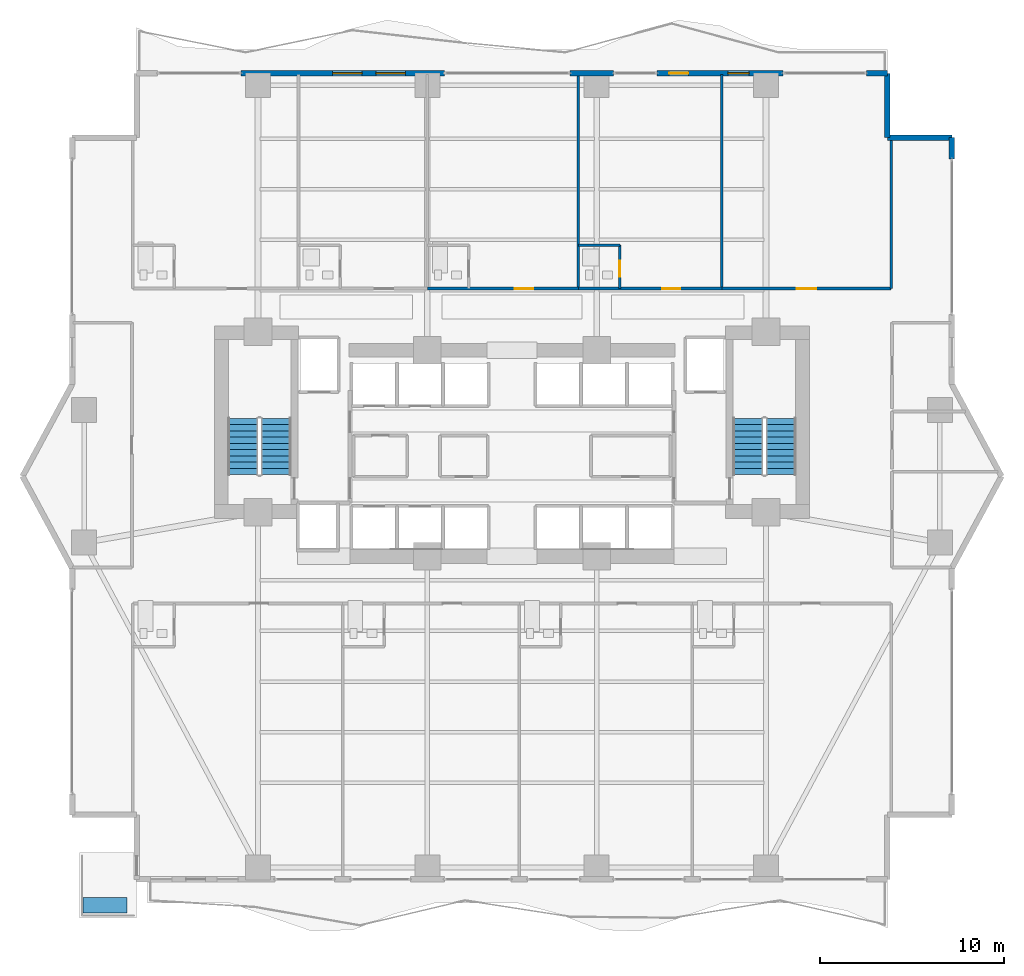
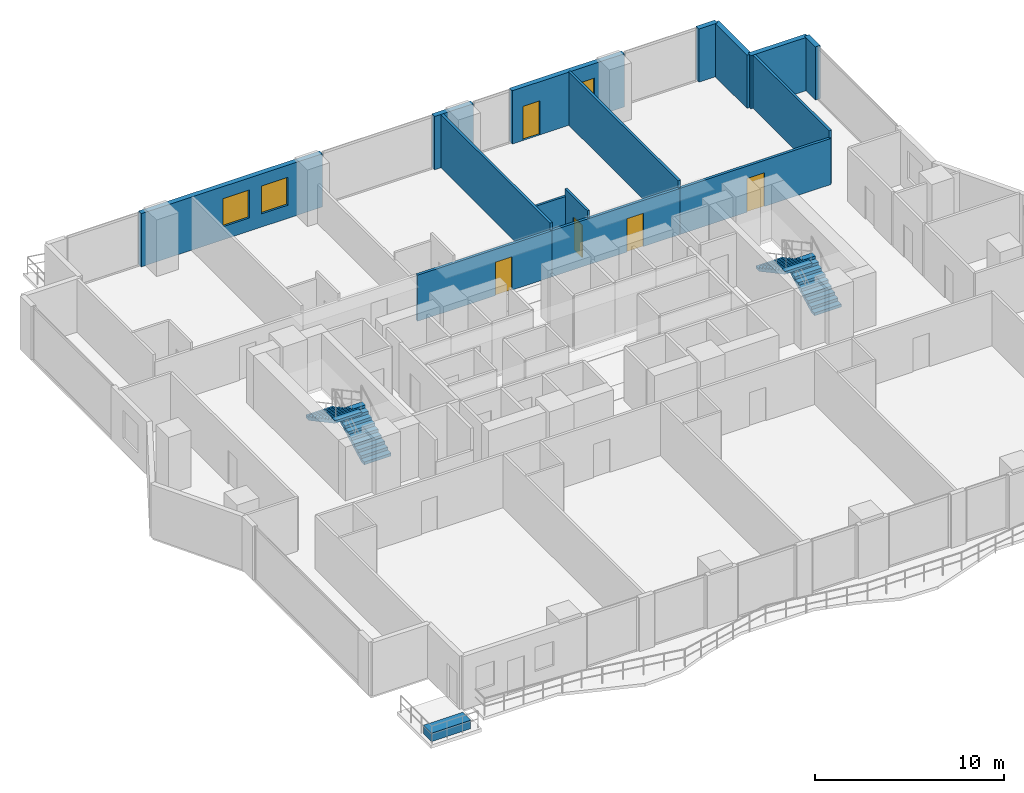
# One storey, part 23 of 27: 15 walls, 5 doors, 4 stair flights, 3 windows, 1 building element part, 8 openings, 2 elements without a shape of their own.
"""IFC4 building model written with IfcOpenShell, lengths in metres."""

from ifc_helpers import new_model, si_unit, direction, frame, frame_2d, origin, origin_2d, place, context, subcontext, project, spatial, polyline, rectangle, outline, extrude, material, layer, layer_set, type_object, element, fill, aggregate, save


model = new_model("IFC4")

# Units and contexts
model_context = context("Model", 3, precision=1e-05, world=origin(), true_north=direction((0.0, 1.0)))
body_context = subcontext(model_context, "Body", "Model", "MODEL_VIEW")
ifc_project = project(units=[si_unit("LENGTHUNIT", "METRE"), si_unit("AREAUNIT", "SQUARE_METRE"), si_unit("VOLUMEUNIT", "CUBIC_METRE"), si_unit("PLANEANGLEUNIT", "RADIAN"), si_unit("MASSUNIT", "GRAM", prefix="KILO")], contexts=[model_context])

# Site, building, storey
site_placement = place(None, origin())
site = spatial("IfcSite", under=ifc_project, at=site_placement, CompositionType="ELEMENT")
building_placement = place(site_placement, origin())
building = spatial("IfcBuilding", under=site, at=building_placement, Name="Zuhayl Quay Hotel", CompositionType="ELEMENT")
storey_placement = place(building_placement, frame((0.0, 0.0, 117.550048828125)))
storey = spatial("IfcBuildingStorey", under=building, at=storey_placement, Name="L29", CompositionType="ELEMENT", Elevation=117.550048828125)

# Wall, openings, windows
ifc_material_1 = material(Name="Precast concrete C45/55", Category="concrete")
ifc_layer_1 = layer(ifc_material_1, 0.300048828125, Name="Precast concrete C45/55", Category="concrete")
ifc_layer_set_1 = layer_set([ifc_layer_1], Name="Precast concrete C45/55")
wall_type_1 = type_object("IfcWallType", Name="WL_EXT_300", PredefinedType="STANDARD", material=ifc_layer_set_1)
wall_1_placement = place(storey_placement, frame((-14.719970703125, 28.39990234375, 0.0), z_axis=(0.0, 0.0, 1.0), x_axis=(1.0, 0.0, 0.0)))
wall_1 = element("IfcWall", 1, at=wall_1_placement, inside=storey, type_object=wall_type_1, Name="L29 Exterior Precast Wall ENV_L29_N_EW2", PredefinedType="STANDARD", context=body_context, shape_type="SweptSolid", body=[
    extrude(rectangle(XDim=11.0400390625, YDim=0.300048828125, at=frame_2d((5.52001953125, 0.0))), origin(), (0.0, 0.0, 1.0), 3.429931640625),
])
opening_1_placement = place(wall_1_placement, frame((4.97998046875, 0.0, 0.85009765625)))
opening_1 = element("IfcOpeningElement", 2, at=opening_1_placement, cuts=wall_1, Name="Opening W01", PredefinedType="OPENING", context=body_context, shape_type="SweptSolid", body=[
    extrude(rectangle(XDim=1.60009765625, YDim=1.800048828125, at=frame_2d((0.800048828125, 0.89990234375))), frame((0.0, 0.159912109375, 0.0), z_axis=(0.0, -1.0, 0.0), x_axis=(1.0, 0.0, 0.0)), (0.0, 0.0, 1.0), 0.320068359375),
])
opening_2_placement = place(wall_1_placement, frame((7.324951171875, 0.0, 0.85009765625)))
opening_2 = element("IfcOpeningElement", 3, at=opening_2_placement, cuts=wall_1, Name="Opening W01", PredefinedType="OPENING", context=body_context, shape_type="SweptSolid", body=[
    extrude(rectangle(XDim=1.60009765625, YDim=1.800048828125, at=frame_2d((0.800048828125, 0.89990234375))), frame((0.0, 0.159912109375, 0.0), z_axis=(0.0, -1.0, 0.0), x_axis=(1.0, 0.0, 0.0)), (0.0, 0.0, 1.0), 0.320068359375),
])
ifc_material_2 = material(Name="Dark Ceramic-Fritted Solar Glass", Category="glass")
window_type_1 = type_object("IfcWindowType", Name="WN_OPERABLE_1600", PartitioningType="DOUBLE_PANEL_VERTICAL", PredefinedType="WINDOW", material=ifc_material_2)
window_1_placement = place(opening_1_placement, origin())
window_1 = element("IfcWindow", 4, at=window_1_placement, inside=storey, type_object=window_type_1, Name="L29 North Operable Casement Window", OverallHeight=1.800048828125, OverallWidth=1.60009765625, PartitioningType="SINGLE_PANEL", PredefinedType="WINDOW", context=body_context, shape_type="SweptSolid", body=[
    extrude(rectangle(XDim=1.60009765625, YDim=1.800048828125, at=frame_2d((0.800048828125, 0.89990234375))), frame((0.0, 0.030029296875, 0.0), z_axis=(0.0, -1.0, 0.0), x_axis=(1.0, 0.0, 0.0)), (0.0, 0.0, 1.0), 0.06005859375),
])
fill(opening_1, window_1)
window_2_placement = place(opening_2_placement, origin())
window_2 = element("IfcWindow", 5, at=window_2_placement, inside=storey, type_object=window_type_1, Name="L29 Operable Facade Window 2-1", OverallHeight=1.800048828125, OverallWidth=1.60009765625, PartitioningType="SINGLE_PANEL", PredefinedType="WINDOW", context=body_context, shape_type="SweptSolid", body=[
    extrude(rectangle(XDim=1.60009765625, YDim=1.800048828125, at=frame_2d((0.800048828125, 0.89990234375))), frame((0.0, 0.030029296875, 0.0), z_axis=(0.0, -1.0, 0.0), x_axis=(1.0, 0.0, 0.0)), (0.0, 0.0, 1.0), 0.06005859375),
])
fill(opening_2, window_2)

# Wall
wall_2_placement = place(storey_placement, frame((3.14990234375, 28.39990234375, 0.0), z_axis=(0.0, 0.0, 1.0), x_axis=(1.0, 0.0, 0.0)))
element("IfcWall", 6, at=wall_2_placement, inside=storey, type_object=wall_type_1, Name="L29 Exterior Precast Wall ENV_L29_N_EW3", PredefinedType="STANDARD", context=body_context, shape_type="SweptSolid", body=[
    extrude(rectangle(XDim=2.3701171875, YDim=0.300048828125, at=frame_2d((1.18505859375, 0.0))), origin(), (0.0, 0.0, 1.0), 3.429931640625),
])

# Wall, openings, door, window
wall_3_placement = place(storey_placement, frame((7.885009765625, 28.39990234375, 0.0), z_axis=(0.0, 0.0, 1.0), x_axis=(1.0, 0.0, 0.0)))
wall_3 = element("IfcWall", 7, at=wall_3_placement, inside=storey, type_object=wall_type_1, Name="L29 Exterior Precast Wall ENV_L29_N_EW4", PredefinedType="STANDARD", context=body_context, shape_type="SweptSolid", body=[
    extrude(rectangle(XDim=6.8349609375, YDim=0.300048828125, at=frame_2d((3.41748046875, 0.0))), origin(), (0.0, 0.0, 1.0), 3.429931640625),
])
opening_3_placement = place(wall_3_placement, frame((0.64990234375, 0.0, 0.0)))
opening_3 = element("IfcOpeningElement", 8, at=opening_3_placement, cuts=wall_3, Name="Opening DG1", PredefinedType="OPENING", context=body_context, shape_type="SweptSolid", body=[
    extrude(rectangle(XDim=1.050048828125, YDim=2.199951171875, at=frame_2d((0.52490234375, 1.10009765625))), frame((0.0, 0.159912109375, 0.0), z_axis=(0.0, -1.0, 0.0), x_axis=(1.0, 0.0, 0.0)), (0.0, 0.0, 1.0), 0.320068359375),
])
opening_4_placement = place(wall_3_placement, frame((3.85009765625, 0.0, 0.949951171875)))
opening_4 = element("IfcOpeningElement", 9, at=opening_4_placement, cuts=wall_3, Name="Opening W01N", PredefinedType="OPENING", context=body_context, shape_type="SweptSolid", body=[
    extrude(rectangle(XDim=1.14990234375, YDim=1.550048828125, at=frame_2d((0.574951171875, 0.77490234375))), frame((0.0, 0.159912109375, 0.0), z_axis=(0.0, -1.0, 0.0), x_axis=(1.0, 0.0, 0.0)), (0.0, 0.0, 1.0), 0.320068359375),
])
ifc_material_3 = material(Name="Anodised Aluminium and Dark Solar Glass", Category="aluminium")
door_type_1 = type_object("IfcDoorType", Name="DR_EXT_TERR_1050", OperationType="NOTDEFINED", PredefinedType="DOOR", material=ifc_material_3)
door_1_placement = place(opening_3_placement, origin())
door_1 = element("IfcDoor", 10, at=door_1_placement, inside=storey, type_object=door_type_1, Name="L29 North Rippling Balcony Door", OperationType="SINGLE_SWING_LEFT", OverallHeight=2.199951171875, OverallWidth=1.050048828125, PredefinedType="DOOR", context=body_context, shape_type="SweptSolid", body=[
    extrude(rectangle(XDim=1.050048828125, YDim=2.199951171875, at=frame_2d((0.52490234375, 1.10009765625))), frame((0.0, 0.02490234375, 0.0), z_axis=(0.0, -1.0, 0.0), x_axis=(1.0, 0.0, 0.0)), (0.0, 0.0, 1.0), 0.050048828125),
])
fill(opening_3, door_1)
window_type_2 = type_object("IfcWindowType", Name="WN_NOTCH_1350", PartitioningType="SINGLE_PANEL", PredefinedType="WINDOW", material=ifc_material_2)
window_3_placement = place(opening_4_placement, origin())
window_3 = element("IfcWindow", 11, at=window_3_placement, inside=storey, type_object=window_type_2, Name="L29 Operable Facade Window 4-1", OverallHeight=1.550048828125, OverallWidth=1.14990234375, PartitioningType="SINGLE_PANEL", PredefinedType="WINDOW", context=body_context, shape_type="SweptSolid", body=[
    extrude(rectangle(XDim=1.14990234375, YDim=1.550048828125, at=frame_2d((0.574951171875, 0.77490234375))), frame((0.0, 0.030029296875, 0.0), z_axis=(0.0, -1.0, 0.0), x_axis=(1.0, 0.0, 0.0)), (0.0, 0.0, 1.0), 0.06005859375),
])
fill(opening_4, window_3)

# Walls
wall_4_placement = place(storey_placement, frame((19.25, 28.39990234375, 0.0), z_axis=(0.0, 0.0, 1.0), x_axis=(1.0, 0.0, 0.0)))
element("IfcWall", 12, at=wall_4_placement, inside=storey, type_object=wall_type_1, Name="L29 Exterior Precast Wall ENV_L29_N_EW5", PredefinedType="STANDARD", context=body_context, shape_type="SweptSolid", body=[
    extrude(rectangle(XDim=1.14990234375, YDim=0.300048828125, at=frame_2d((0.574951171875, 0.0))), origin(), (0.0, 0.0, 1.0), 3.429931640625),
])
for number, where, z_axis, x_axis, name in (
    (13, (20.39990234375, 28.39990234375, 0.0), (0.0, 0.0, 1.0), (0.0, -1.0, 0.0), "L29 Exterior Precast Wall ENV_L29_EW09"),
    (14, (20.39990234375, 24.89990234375, 0.0), (0.0, 0.0, 1.0), (1.0, 0.0, 0.0), "L29 Exterior Precast Wall ENV_L29_EW10"),
):
    element("IfcWall", number, at=place(storey_placement, frame(where, z_axis=z_axis, x_axis=x_axis)), inside=storey, type_object=wall_type_1, Name=name, PredefinedType="STANDARD", context=body_context, shape_type="SweptSolid", body=[
        extrude(rectangle(XDim=3.5, YDim=0.300048828125, at=frame_2d((1.75, 0.0))), origin(), (0.0, 0.0, 1.0), 3.429931640625),
    ])
wall_5_placement = place(storey_placement, frame((23.89990234375, 24.89990234375, 0.0), z_axis=(0.0, 0.0, 1.0), x_axis=(0.0, -1.0, 0.0)))
element("IfcWall", 15, at=wall_5_placement, inside=storey, type_object=wall_type_1, Name="L29 Exterior Precast Wall ENV_L29_E11_EW1", PredefinedType="STANDARD", context=body_context, shape_type="SweptSolid", body=[
    extrude(rectangle(XDim=1.14990234375, YDim=0.300048828125, at=frame_2d((0.574951171875, 0.0))), origin(), (0.0, 0.0, 1.0), 3.429931640625),
])
ifc_material_4 = material(Name="Acoustic Gypsum Partition STC-58")
ifc_layer_2 = layer(ifc_material_4, 0.14990234375, Name="Acoustic Gypsum Partition STC-58")
ifc_layer_set_2 = layer_set([ifc_layer_2], Name="Acoustic Gypsum Partition STC-58")
wall_type_2 = type_object("IfcWallType", Name="WL_PART_150", PredefinedType="PARTITIONING", material=ifc_layer_set_2)
for number, where, z_axis, x_axis, name in (
    (16, (3.60009765625, 16.699951171875, 0.0), (0.0, 0.0, 1.0), (0.0, 1.0, 0.0), "L29 Partition IW_L29_NU03_E"),
    (17, (11.39990234375, 16.699951171875, 0.0), (0.0, 0.0, 1.0), (0.0, 1.0, 0.0), "L29 Partition IW_L29_NU04_E"),
):
    element("IfcWall", number, at=place(storey_placement, frame(where, z_axis=z_axis, x_axis=x_axis)), inside=storey, type_object=wall_type_2, Name=name, PredefinedType="PARTITIONING", context=body_context, shape_type="SweptSolid", body=[
        extrude(rectangle(XDim=11.6201171875, YDim=0.14990234375, at=frame_2d((5.81005859375, 0.0))), origin(), (0.0, 0.0, 1.0), 3.429931640625),
    ])
wall_6_placement = place(storey_placement, frame((20.60009765625, 16.699951171875, 0.0), z_axis=(0.0, 0.0, 1.0), x_axis=(0.0, 1.0, 0.0)))
element("IfcWall", 18, at=wall_6_placement, inside=storey, type_object=wall_type_2, Name="L29 Partition IW_L29_NSAL_4_E", PredefinedType="PARTITIONING", context=body_context, shape_type="SweptSolid", body=[
    extrude(rectangle(XDim=8.14013671875, YDim=0.14990234375, at=frame_2d((4.070068359375, 0.0))), origin(), (0.0, 0.0, 1.0), 3.429931640625),
])

# Wall, opening, door
ifc_layer_3 = layer(ifc_material_4, 0.159912109375, Name="Acoustic Gypsum Partition STC-58")
ifc_layer_set_3 = layer_set([ifc_layer_3], Name="Acoustic Gypsum Partition STC-58")
wall_type_3 = type_object("IfcWallType", Name="WL_PART_CORR_160", PredefinedType="PARTITIONING", material=ifc_layer_set_3)
wall_7_placement = place(storey_placement, frame((-4.60009765625, 16.699951171875, 0.0), z_axis=(0.0, 0.0, 1.0), x_axis=(1.0, 0.0, 0.0)))
wall_7 = element("IfcWall", 19, at=wall_7_placement, inside=storey, type_object=wall_type_3, Name="L29 Partition IW_L29_NU03_COR", PredefinedType="PARTITIONING", context=body_context, shape_type="SweptSolid", body=[
    extrude(rectangle(XDim=8.2001953125, YDim=0.159912109375, at=frame_2d((4.10009765625, 0.0))), origin(), (0.0, 0.0, 1.0), 2.972900390625),
])
opening_5_placement = place(wall_7_placement, frame((4.75, 0.0, 0.0)))
opening_5 = element("IfcOpeningElement", 20, at=opening_5_placement, cuts=wall_7, Name="Opening D03L", PredefinedType="OPENING", context=body_context, shape_type="SweptSolid", body=[
    extrude(rectangle(XDim=1.0, YDim=2.14990234375, at=frame_2d((0.5, 1.074951171875))), frame((0.0, 0.08984375, 0.0), z_axis=(0.0, -1.0, 0.0), x_axis=(1.0, 0.0, 0.0)), (0.0, 0.0, 1.0), 0.179931640625),
])
ifc_material_5 = material(Name="Solid Walnut Acoustic Fire Door")
door_type_2 = type_object("IfcDoorType", Name="DR_SUITE_1000", OperationType="NOTDEFINED", PredefinedType="DOOR", material=ifc_material_5)
door_2_placement = place(opening_5_placement, origin())
door_2 = element("IfcDoor", 21, at=door_2_placement, inside=storey, type_object=door_type_2, Name="L29 Executive Suite L29-03 Entrance Door", OperationType="SINGLE_SWING_LEFT", OverallHeight=2.14990234375, OverallWidth=1.0, PredefinedType="DOOR", context=body_context, shape_type="SweptSolid", body=[
    extrude(rectangle(XDim=1.0, YDim=2.14990234375, at=frame_2d((0.5, 1.074951171875))), frame((0.0, 0.02490234375, 0.0), z_axis=(0.0, -1.0, 0.0), x_axis=(1.0, 0.0, 0.0)), (0.0, 0.0, 1.0), 0.050048828125),
])
fill(opening_5, door_2)

wall_8_placement = place(storey_placement, frame((3.60009765625, 16.699951171875, 0.0), z_axis=(0.0, 0.0, 1.0), x_axis=(1.0, 0.0, 0.0)))
wall_8 = element("IfcWall", 22, at=wall_8_placement, inside=storey, type_object=wall_type_3, Name="L29 Partition IW_L29_NU04_COR", PredefinedType="PARTITIONING", context=body_context, shape_type="SweptSolid", body=[
    extrude(rectangle(XDim=7.7998046875, YDim=0.159912109375, at=frame_2d((3.89990234375, 0.0))), origin(), (0.0, 0.0, 1.0), 2.972900390625),
])
opening_6_placement = place(wall_8_placement, frame((4.550048828125, 0.0, 0.0)))
opening_6 = element("IfcOpeningElement", 23, at=opening_6_placement, cuts=wall_8, Name="Opening D03L", PredefinedType="OPENING", context=body_context, shape_type="SweptSolid", body=[
    extrude(rectangle(XDim=1.0, YDim=2.14990234375, at=frame_2d((0.5, 1.074951171875))), frame((0.0, 0.08984375, 0.0), z_axis=(0.0, -1.0, 0.0), x_axis=(1.0, 0.0, 0.0)), (0.0, 0.0, 1.0), 0.179931640625),
])
door_3_placement = place(opening_6_placement, origin())
door_3 = element("IfcDoor", 24, at=door_3_placement, inside=storey, type_object=door_type_2, Name="L29 Executive Suite L29-04 Entrance Door", OperationType="SINGLE_SWING_LEFT", OverallHeight=2.14990234375, OverallWidth=1.0, PredefinedType="DOOR", context=body_context, shape_type="SweptSolid", body=[
    extrude(rectangle(XDim=1.0, YDim=2.14990234375, at=frame_2d((0.5, 1.074951171875))), frame((0.0, 0.02490234375, 0.0), z_axis=(0.0, -1.0, 0.0), x_axis=(1.0, 0.0, 0.0)), (0.0, 0.0, 1.0), 0.050048828125),
])
fill(opening_6, door_3)

wall_9_placement = place(storey_placement, frame((11.39990234375, 16.699951171875, 0.0), z_axis=(0.0, 0.0, 1.0), x_axis=(1.0, 0.0, 0.0)))
wall_9 = element("IfcWall", 25, at=wall_9_placement, inside=storey, type_object=wall_type_3, Name="L29 Partition IW_L29_NSAL_4_S", PredefinedType="PARTITIONING", context=body_context, shape_type="SweptSolid", body=[
    extrude(rectangle(XDim=9.2001953125, YDim=0.159912109375, at=frame_2d((4.60009765625, 0.0))), origin(), (0.0, 0.0, 1.0), 2.972900390625),
])
opening_7_placement = place(wall_9_placement, frame((4.06005859375, 0.0, 0.0)))
opening_7 = element("IfcOpeningElement", 26, at=opening_7_placement, cuts=wall_9, Name="Opening D05A", PredefinedType="OPENING", context=body_context, shape_type="SweptSolid", body=[
    extrude(rectangle(XDim=1.080078125, YDim=2.179931640625, at=frame_2d((0.5400390625, 1.08984375))), frame((0.0, 0.08984375, 0.0), z_axis=(0.0, -1.0, 0.0), x_axis=(1.0, 0.0, 0.0)), (0.0, 0.0, 1.0), 0.179931640625),
])
door_type_3 = type_object("IfcDoorType", Name="DR_INT_1100", OperationType="NOTDEFINED", PredefinedType="DOOR", material=ifc_material_5)
door_4_placement = place(opening_7_placement, origin())
door_4 = element("IfcDoor", 27, at=door_4_placement, inside=storey, type_object=door_type_3, Name="L29 Executive Business Office Door", OperationType="SINGLE_SWING_RIGHT", OverallHeight=2.179931640625, OverallWidth=1.080078125, PredefinedType="DOOR", context=body_context, shape_type="SweptSolid", body=[
    extrude(rectangle(XDim=1.080078125, YDim=2.179931640625, at=frame_2d((0.5400390625, 1.08984375))), frame((0.0, 0.02490234375, 0.0), z_axis=(0.0, -1.0, 0.0), x_axis=(1.0, 0.0, 0.0)), (0.0, 0.0, 1.0), 0.050048828125),
])
fill(opening_7, door_4)

ifc_material_6 = material(Name="Moisture-Resistant Sanitarychase Gypsum")
ifc_layer_4 = layer(ifc_material_6, 0.135009765625, Name="Moisture-Resistant Sanitarychase Gypsum")
ifc_layer_set_4 = layer_set([ifc_layer_4], Name="Moisture-Resistant Sanitarychase Gypsum")
wall_type_4 = type_object("IfcWallType", Name="WL_PART_PLUMB_150", PredefinedType="PLUMBINGWALL", material=ifc_layer_set_4)
wall_10_placement = place(storey_placement, frame((5.860107421875, 16.699951171875, 0.0), z_axis=(0.0, 0.0, 1.0), x_axis=(0.0, 1.0, 0.0)))
wall_10 = element("IfcWall", 28, at=wall_10_placement, inside=storey, type_object=wall_type_4, Name="L29 Partition IW_L29_NU04_BE", PredefinedType="PLUMBINGWALL", context=body_context, shape_type="SweptSolid", body=[
    extrude(rectangle(XDim=2.360107421875, YDim=0.135009765625, at=frame_2d((1.18017578125, 0.0))), origin(), (0.0, 0.0, 1.0), 3.429931640625),
])
opening_8_placement = place(wall_10_placement, frame((0.64990234375, 0.0, 0.0)))
opening_8 = element("IfcOpeningElement", 29, at=opening_8_placement, cuts=wall_10, Name="Opening D04", PredefinedType="OPENING", context=body_context, shape_type="SweptSolid", body=[
    extrude(rectangle(XDim=0.85009765625, YDim=2.10009765625, at=frame_2d((0.425048828125, 1.050048828125))), frame((0.0, 0.077392578125, 0.0), z_axis=(0.0, -1.0, 0.0), x_axis=(1.0, 0.0, 0.0)), (0.0, 0.0, 1.0), 0.155029296875),
])
ifc_material_7 = material(Name="Moisture-Resistant Walnut Veneer")
door_type_4 = type_object("IfcDoorType", Name="DR_BATH_850", OperationType="NOTDEFINED", PredefinedType="DOOR", material=ifc_material_7)
door_5_placement = place(opening_8_placement, origin())
door_5 = element("IfcDoor", 30, at=door_5_placement, inside=storey, type_object=door_type_4, Name="L29 Executive Suite L29-04 En-Suite Door", OperationType="SINGLE_SWING_RIGHT", OverallHeight=2.10009765625, OverallWidth=0.85009765625, PredefinedType="DOOR", context=body_context, shape_type="SweptSolid", body=[
    extrude(rectangle(XDim=0.85009765625, YDim=2.10009765625, at=frame_2d((0.425048828125, 1.050048828125))), frame((0.0, 0.02490234375, 0.0), z_axis=(0.0, -1.0, 0.0), x_axis=(1.0, 0.0, 0.0)), (0.0, 0.0, 1.0), 0.050048828125),
])
fill(opening_8, door_5)

# Wall
wall_11_placement = place(storey_placement, frame((3.60009765625, 19.06005859375, 0.0), z_axis=(0.0, 0.0, 1.0), x_axis=(1.0, 0.0, 0.0)))
element("IfcWall", 31, at=wall_11_placement, inside=storey, type_object=wall_type_4, Name="L29 Partition IW_L29_NU04_BN", PredefinedType="PLUMBINGWALL", context=body_context, shape_type="SweptSolid", body=[
    extrude(rectangle(XDim=2.260009765625, YDim=0.135009765625, at=frame_2d((1.1298828125, 0.0))), origin(), (0.0, 0.0, 1.0), 2.972900390625),
])

# Stair, stair flights
ifc_material_8 = material(Name="Concrete C45/55", Category="concrete")
stair_type = type_object("IfcStairType", Name="ST_DOGLEG_TOWER", PredefinedType="HALF_TURN_STAIR", material=ifc_material_8)
stair_1_placement = place(storey_placement, origin())
stair_1 = element("IfcStair", 32, at=stair_1_placement, inside=storey, type_object=stair_type, Name="L29 Smokeproof Exit Stair ST1", PredefinedType="HALF_TURN_STAIR")
ifc_layer_5 = layer(ifc_material_8, 0.159912109375, Name="Concrete C45/55", Category="concrete")
ifc_layer_set_5 = layer_set([ifc_layer_5], Name="Concrete C45/55")
stair_flight_type = type_object("IfcStairFlightType", Name="SF_CONC_164", PredefinedType="STRAIGHT", material=ifc_layer_set_5)
stair_flight_1_placement = place(storey_placement, frame((-12.820068359375, 6.590087890625, 0.0), z_axis=(0.0, 0.0, 1.0), x_axis=(0.0, 1.0, 0.0)))
stair_flight_1 = element("IfcStairFlight", 33, at=stair_flight_1_placement, type_object=stair_flight_type, Name="ST1 flight 1", NumberOfRisers=10, NumberOfTreads=9, PredefinedType="STRAIGHT", RiserHeight=0.1825, TreadLength=0.34, context=body_context, shape_type="SweptSolid", body=[
    extrude(outline(polyline([(0.0, 0.0), (0.0, 0.1826171875), (0.340087890625, 0.1826171875), (0.340087890625, 0.364990234375), (0.679931640625, 0.364990234375), (0.679931640625, 0.547607421875), (1.02001953125, 0.547607421875), (1.02001953125, 0.72998046875), (1.360107421875, 0.72998046875), (1.360107421875, 0.91259765625), (1.699951171875, 0.91259765625), (1.699951171875, 1.094970703125), (2.0400390625, 1.094970703125), (2.0400390625, 1.277587890625), (2.3798828125, 1.277587890625), (2.3798828125, 1.4599609375), (2.719970703125, 1.4599609375), (2.719970703125, 1.642578125), (3.06005859375, 1.642578125), (3.06005859375, 1.824951171875), (3.06005859375, 1.472412109375), (0.31689453125, 0.0), (0.0, 0.0)])), frame((0.0, 0.81982421875, 0.0), z_axis=(0.0, -1.0, 0.0), x_axis=(1.0, 0.0, 0.0)), (0.0, 0.0, 1.0), 1.639892578125),
])
stair_flight_2_placement = place(storey_placement, frame((-14.610107421875, 9.64990234375, 1.824951171875), z_axis=(0.0, 0.0, 1.0), x_axis=(0.0, -1.0, 0.0)))
stair_flight_2 = element("IfcStairFlight", 34, at=stair_flight_2_placement, type_object=stair_flight_type, Name="ST1 flight 2", NumberOfRisers=10, NumberOfTreads=9, PredefinedType="STRAIGHT", RiserHeight=0.1825, TreadLength=0.34, context=body_context, shape_type="SweptSolid", body=[
    extrude(outline(polyline([(0.0, 0.0), (0.0, 0.1826171875), (0.340087890625, 0.1826171875), (0.340087890625, 0.364990234375), (0.679931640625, 0.364990234375), (0.679931640625, 0.547607421875), (1.02001953125, 0.547607421875), (1.02001953125, 0.72998046875), (1.360107421875, 0.72998046875), (1.360107421875, 0.91259765625), (1.699951171875, 0.91259765625), (1.699951171875, 1.094970703125), (2.0400390625, 1.094970703125), (2.0400390625, 1.277587890625), (2.3798828125, 1.277587890625), (2.3798828125, 1.4599609375), (2.719970703125, 1.4599609375), (2.719970703125, 1.642578125), (3.06005859375, 1.642578125), (3.06005859375, 1.824951171875), (3.06005859375, 1.472412109375), (0.31689453125, 0.0), (0.0, 0.0)])), frame((0.0, 0.81982421875, 0.0), z_axis=(0.0, -1.0, 0.0), x_axis=(1.0, 0.0, 0.0)), (0.0, 0.0, 1.0), 1.639892578125),
])
aggregate(stair_1, [stair_flight_1, stair_flight_2])

stair_2_placement = place(storey_placement, origin())
stair_2 = element("IfcStair", 35, at=stair_2_placement, inside=storey, type_object=stair_type, Name="L29 Smokeproof Exit Stair ST2", PredefinedType="HALF_TURN_STAIR")
stair_flight_3_placement = place(storey_placement, frame((14.610107421875, 6.590087890625, 0.0), z_axis=(0.0, 0.0, 1.0), x_axis=(0.0, 1.0, 0.0)))
stair_flight_3 = element("IfcStairFlight", 36, at=stair_flight_3_placement, type_object=stair_flight_type, Name="ST2 flight 1", NumberOfRisers=10, NumberOfTreads=9, PredefinedType="STRAIGHT", RiserHeight=0.1825, TreadLength=0.34, context=body_context, shape_type="SweptSolid", body=[
    extrude(outline(polyline([(0.0, 0.0), (0.0, 0.1826171875), (0.340087890625, 0.1826171875), (0.340087890625, 0.364990234375), (0.679931640625, 0.364990234375), (0.679931640625, 0.547607421875), (1.02001953125, 0.547607421875), (1.02001953125, 0.72998046875), (1.360107421875, 0.72998046875), (1.360107421875, 0.91259765625), (1.699951171875, 0.91259765625), (1.699951171875, 1.094970703125), (2.0400390625, 1.094970703125), (2.0400390625, 1.277587890625), (2.3798828125, 1.277587890625), (2.3798828125, 1.4599609375), (2.719970703125, 1.4599609375), (2.719970703125, 1.642578125), (3.06005859375, 1.642578125), (3.06005859375, 1.824951171875), (3.06005859375, 1.472412109375), (0.31689453125, 0.0), (0.0, 0.0)])), frame((0.0, 0.81982421875, 0.0), z_axis=(0.0, -1.0, 0.0), x_axis=(1.0, 0.0, 0.0)), (0.0, 0.0, 1.0), 1.639892578125),
])
stair_flight_4_placement = place(storey_placement, frame((12.820068359375, 9.64990234375, 1.824951171875), z_axis=(0.0, 0.0, 1.0), x_axis=(0.0, -1.0, 0.0)))
stair_flight_4 = element("IfcStairFlight", 37, at=stair_flight_4_placement, type_object=stair_flight_type, Name="ST2 flight 2", NumberOfRisers=10, NumberOfTreads=9, PredefinedType="STRAIGHT", RiserHeight=0.1825, TreadLength=0.34, context=body_context, shape_type="SweptSolid", body=[
    extrude(outline(polyline([(0.0, 0.0), (0.0, 0.1826171875), (0.340087890625, 0.1826171875), (0.340087890625, 0.364990234375), (0.679931640625, 0.364990234375), (0.679931640625, 0.547607421875), (1.02001953125, 0.547607421875), (1.02001953125, 0.72998046875), (1.360107421875, 0.72998046875), (1.360107421875, 0.91259765625), (1.699951171875, 0.91259765625), (1.699951171875, 1.094970703125), (2.0400390625, 1.094970703125), (2.0400390625, 1.277587890625), (2.3798828125, 1.277587890625), (2.3798828125, 1.4599609375), (2.719970703125, 1.4599609375), (2.719970703125, 1.642578125), (3.06005859375, 1.642578125), (3.06005859375, 1.824951171875), (3.06005859375, 1.472412109375), (0.31689453125, 0.0), (0.0, 0.0)])), frame((0.0, 0.81982421875, 0.0), z_axis=(0.0, -1.0, 0.0), x_axis=(1.0, 0.0, 0.0)), (0.0, 0.0, 1.0), 1.639892578125),
])
aggregate(stair_2, [stair_flight_3, stair_flight_4])

# Building element part
ifc_layer_6 = layer(ifc_material_1, 0.550048828125, Name="Precast concrete C45/55", Category="concrete")
ifc_layer_set_6 = layer_set([ifc_layer_6], Name="Precast concrete C45/55")
building_element_part_type = type_object("IfcBuildingElementPartType", Name="PT_PLANTER_KERB", PredefinedType="PRECASTPANEL", material=ifc_layer_set_6)
building_element_part_placement = place(storey_placement, frame((-22.110107421875, -16.81005859375, 0.0), z_axis=(0.0, 0.0, 1.0), x_axis=(1.0, 0.0, 0.0)))
element("IfcBuildingElementPart", 38, at=building_element_part_placement, inside=storey, type_object=building_element_part_type, Name="L29 Spiral Sky-Terrace Planter Box SW", PredefinedType="PRECASTPANEL", context=body_context, shape_type="SweptSolid", body=[
    extrude(rectangle(XDim=2.39990234375, YDim=0.85009765625, at=origin_2d()), origin(), (0.0, 0.0, 1.0), 0.550048828125),
])

save(model, "model.ifc")
